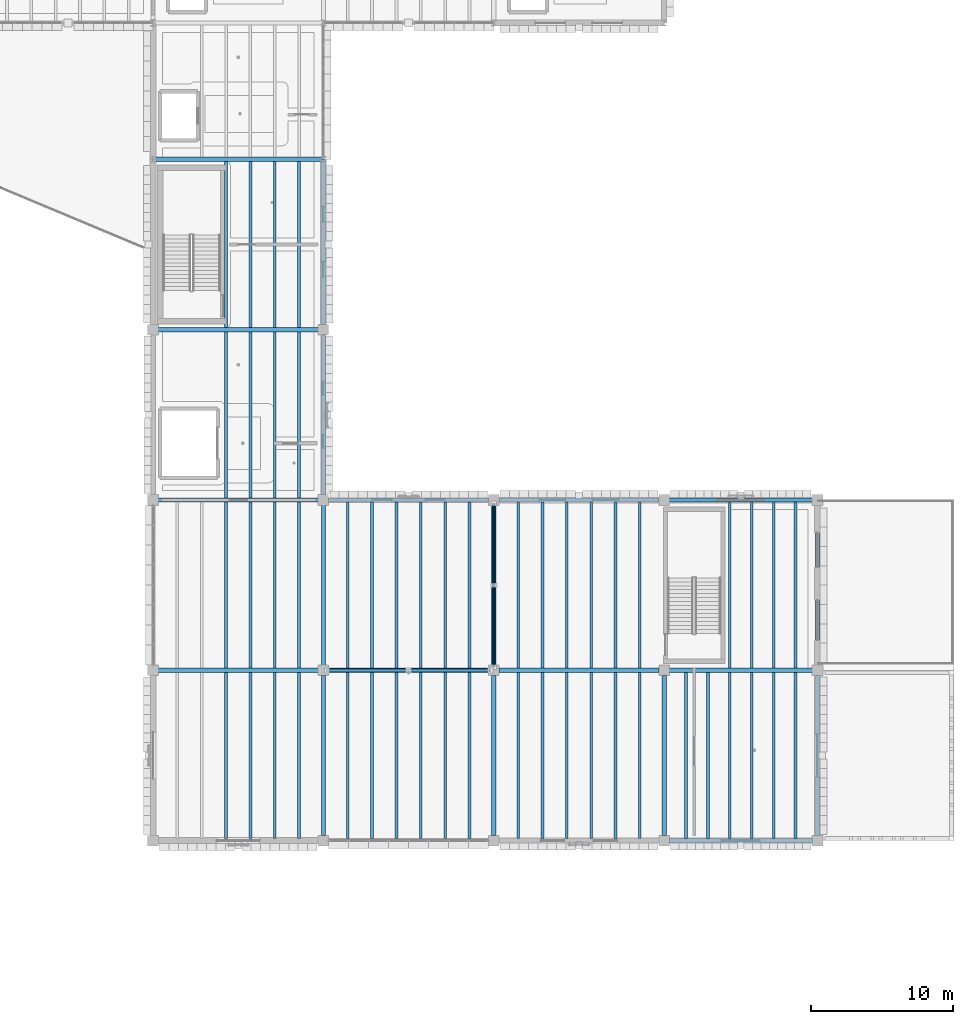
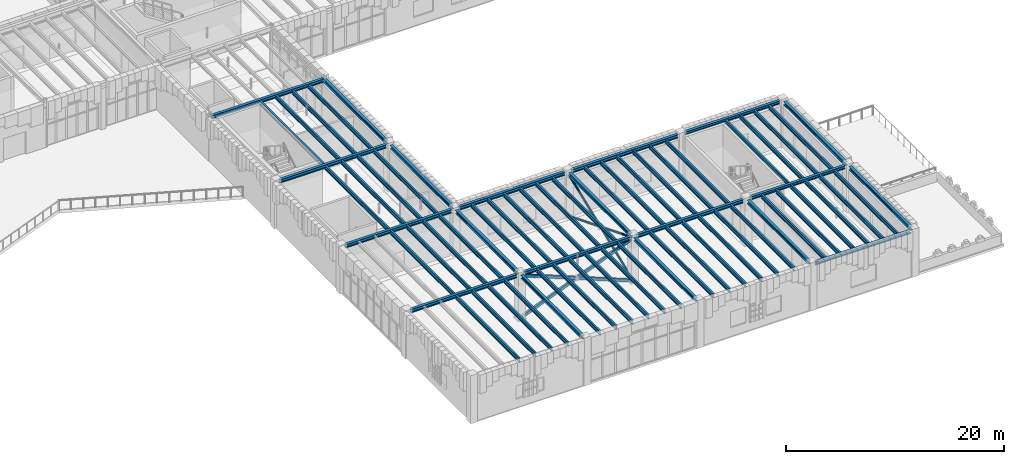
# One storey, part 34 of 103: 70 beams, 6 members.
"""IFC4 building model written with IfcOpenShell, lengths in metres."""

import ifcopenshell
import ifcopenshell.guid

model = None  # the IFC model being written
_history = None  # IfcOwnerHistory: only IFC2X3 demands one
_inside = {}  # id of a spatial element -> (the spatial element, [elements in it])
_under = {}  # id of a project, library or spatial element -> (it, [spatial elements below it])
_declared = {}  # id of a project -> (the project, [libraries it declares])
_typed = {}  # id of a type object -> (the type object, [elements of that type])
_made_of = {}  # id of a material, layer set ... -> (it, [elements and type objects made of it])


def new_model(schema):
    """Start an empty IFC model of exactly this schema.

    Asked for "IFC4X3", IfcOpenShell would pick the latest addendum, in which some entities
    have other attributes; the version numbers below select the first issue.
    IFC2X3 requires an IfcOwnerHistory on every rooted entity: one is made here for all.
    """
    global model, _history
    if schema == "IFC4X3":
        model = ifcopenshell.file(schema_version=(4, 3, 0, 0))
    else:
        model = ifcopenshell.file(schema=schema)
    _inside.clear()
    _under.clear()
    _declared.clear()
    _typed.clear()
    _made_of.clear()
    _history = None
    if model.schema == "IFC2X3":
        org = make("IfcOrganization", Name="unknown")
        user = make(
            "IfcPersonAndOrganization",
            ThePerson=make("IfcPerson", FamilyName="unknown"),
            TheOrganization=org,
        )
        app = make(
            "IfcApplication",
            ApplicationDeveloper=org,
            Version="unknown",
            ApplicationFullName="unknown",
            ApplicationIdentifier="unknown",
        )
        _history = make(
            "IfcOwnerHistory",
            OwningUser=user,
            OwningApplication=app,
            ChangeAction="ADDED",
            CreationDate=0,
        )
    return model


def make(cls, **values):
    """One entity of the class cls with the attributes given. An attribute that is None is left unset."""
    return model.create_entity(
        cls, **{name: value for name, value in values.items() if value is not None}
    )


def rooted(cls, **values):
    """An entity with a GlobalId (a new one), such as an element, a storey or a relation."""
    return make(cls, GlobalId=ifcopenshell.guid.new(), OwnerHistory=_history, **values)


def si_unit(unit_type, name, prefix=None):
    """IfcSIUnit, for example si_unit("LENGTHUNIT", "METRE", prefix="MILLI")."""
    return make("IfcSIUnit", UnitType=unit_type, Prefix=prefix, Name=name)


def assignment(units):
    """IfcUnitAssignment: the units of a project."""
    return None if units is None else make("IfcUnitAssignment", Units=units)


def point(xyz):
    """IfcCartesianPoint."""
    return None if xyz is None else make("IfcCartesianPoint", Coordinates=xyz)


def direction(xyz):
    """IfcDirection."""
    return None if xyz is None else make("IfcDirection", DirectionRatios=xyz)


def frame(location, z_axis=None, x_axis=None):
    """IfcAxis2Placement3D, a coordinate frame: its origin and axes. An axis left out is left unset."""
    return make(
        "IfcAxis2Placement3D",
        Location=point(location),
        Axis=direction(z_axis),
        RefDirection=direction(x_axis),
    )


def frame_2d(location, x_axis=None):
    """IfcAxis2Placement2D, a coordinate frame in the plane: its origin and x axis."""
    return make(
        "IfcAxis2Placement2D", Location=point(location), RefDirection=direction(x_axis)
    )


def origin():
    """The frame at (0, 0, 0) with its axes left unset."""
    return frame((0.0, 0.0, 0.0))


def origin_2d():
    """The frame at (0, 0) in the plane with its x axis left unset."""
    return frame_2d((0.0, 0.0))


def place(relative_to, where):
    """IfcLocalPlacement: puts the frame where relative to a parent placement (None: the world)."""
    return make(
        "IfcLocalPlacement", PlacementRelTo=relative_to, RelativePlacement=where
    )


def context(
    kind, dimensions, precision=None, world=None, true_north=None, identifier=None
):
    """IfcGeometricRepresentationContext, for example the 3D "Model" context."""
    return make(
        "IfcGeometricRepresentationContext",
        ContextIdentifier=identifier,
        ContextType=kind,
        CoordinateSpaceDimension=dimensions,
        Precision=precision,
        WorldCoordinateSystem=world,
        TrueNorth=true_north,
    )


def subcontext(parent, identifier, kind, view, scale=None):
    """IfcGeometricRepresentationSubContext, for example "Body" below "Model"."""
    return make(
        "IfcGeometricRepresentationSubContext",
        ContextIdentifier=identifier,
        ContextType=kind,
        ParentContext=parent,
        TargetScale=scale,
        TargetView=view,
    )


def project(units=None, contexts=None):
    """IfcProject with its units and contexts."""
    return rooted(
        "IfcProject",
        Name="project",
        RepresentationContexts=contexts,
        UnitsInContext=assignment(units),
    )


def spatial(cls, under=None, at=None, **own):
    """A site, building, storey or space (cls), placed at a placement, below another one or the project."""
    s = rooted(cls, ObjectPlacement=at, **own)
    if under is not None:
        _under.setdefault(under.id(), (under, []))[1].append(s)
    return s


def profile(cls, at=None, kind="AREA", **sizes):
    """A parametric profile (cls). Its sizes go by their IFC names, for example OverallWidth=200.0."""
    return make(cls, ProfileType=kind, Position=at, **sizes)


def hollow_rectangle(**sizes):
    """IfcRectangleHollowProfileDef."""
    return profile("IfcRectangleHollowProfileDef", **sizes)


def hollow_circle(**sizes):
    """IfcCircleHollowProfileDef."""
    return profile("IfcCircleHollowProfileDef", **sizes)


def i_section(**sizes):
    """IfcIShapeProfileDef."""
    return profile("IfcIShapeProfileDef", **sizes)


def extrude(swept, where, along, depth):
    """IfcExtrudedAreaSolid: the profile swept, set in the frame where, extruded along a direction by depth."""
    return make(
        "IfcExtrudedAreaSolid",
        SweptArea=swept,
        Position=where,
        ExtrudedDirection=direction(along),
        Depth=depth,
    )


def shape(context_of_items, identifier, shape_type, items):
    """IfcShapeRepresentation: the items that make up one representation, for example the "Body"."""
    return make(
        "IfcShapeRepresentation",
        ContextOfItems=context_of_items,
        RepresentationIdentifier=identifier,
        RepresentationType=shape_type,
        Items=items,
    )


def material(Name=None, Category=None):
    """IfcMaterial."""
    return make("IfcMaterial", Name=Name, Category=Category)


def material_profile(
    of_material, cross_section, Name=None, Category=None, Priority=None
):
    """IfcMaterialProfile: a cross section and its material."""
    return make(
        "IfcMaterialProfile",
        Name=Name,
        Material=of_material,
        Profile=cross_section,
        Priority=Priority,
        Category=Category,
    )


def profile_set(profiles, Name=None, composite=None):
    """IfcMaterialProfileSet."""
    return make(
        "IfcMaterialProfileSet",
        Name=Name,
        MaterialProfiles=profiles,
        CompositeProfile=composite,
    )


def made_of(thing, what):
    """Note that an element or type object is made of a material, layer set ...; save() writes the relation."""
    if what is not None:
        _made_of.setdefault(what.id(), (what, []))[1].append(thing)
    return thing


def type_object(cls, material=None, **own):
    """A type object (cls), such as IfcWallType, which elements share."""
    return made_of(rooted(cls, **own), material)


def element(
    cls,
    number,
    at=None,
    inside=None,
    cuts=None,
    type_object=None,
    material=None,
    context=None,
    identifier="Body",
    shape_type=None,
    held_by="IfcProductDefinitionShape",
    body=None,
    shapes=None,
    **own,
):
    """One element of the class cls, such as IfcWall. Its Tag is "e" and its number.

    at: its placement. inside: the storey or other place that contains it. cuts: it is an
    opening in that element (IfcRelVoidsElement). A single representation is given by context,
    identifier, shape_type and body (its items); several are given by shapes. held_by: the class
    of the entity that holds the representations. save() writes the other relations.
    """
    e = rooted(cls, Tag="e%d" % number, ObjectPlacement=at, **own)
    if body is not None:
        shapes = [shape(context, identifier, shape_type, body)]
    if shapes is not None:
        e.Representation = make(held_by, Representations=shapes)
    if inside is not None:
        _inside.setdefault(inside.id(), (inside, []))[1].append(e)
    if cuts is not None:
        rooted(
            "IfcRelVoidsElement", RelatingBuildingElement=cuts, RelatedOpeningElement=e
        )
    if type_object is not None:
        _typed.setdefault(type_object.id(), (type_object, []))[1].append(e)
    return made_of(e, material)


def aggregate(whole, parts):
    """IfcRelAggregates: a whole, such as a stair, and the parts it consists of."""
    return rooted("IfcRelAggregates", RelatingObject=whole, RelatedObjects=parts)


def save(model, path):
    """Write the relations noted so far, then the file.

    IfcRelAggregates (storeys below a building ...), IfcRelContainedInSpatialStructure (elements
    in a storey), IfcRelDefinesByType, IfcRelAssociatesMaterial and IfcRelDeclares: one each for
    every whole, place, type object, material and project.
    """
    for whole, parts in _under.values():
        aggregate(whole, parts)
    for where, things in _inside.values():
        rooted(
            "IfcRelContainedInSpatialStructure",
            RelatedElements=things,
            RelatingStructure=where,
        )
    for kind, things in _typed.values():
        rooted("IfcRelDefinesByType", RelatedObjects=things, RelatingType=kind)
    for what, things in _made_of.values():
        rooted("IfcRelAssociatesMaterial", RelatedObjects=things, RelatingMaterial=what)
    for by, libraries in _declared.values():
        rooted("IfcRelDeclares", RelatingContext=by, RelatedDefinitions=libraries)
    model.write(path)


model = new_model("IFC4")

# Units and contexts
model_context = context("Model", 3, precision=1e-05, world=origin(), true_north=direction((0.0, 1.0)))
body_context = subcontext(model_context, "Body", "Model", "MODEL_VIEW")
ifc_project = project(units=[si_unit("LENGTHUNIT", "METRE"), si_unit("AREAUNIT", "SQUARE_METRE"), si_unit("VOLUMEUNIT", "CUBIC_METRE"), si_unit("PLANEANGLEUNIT", "RADIAN"), si_unit("MASSUNIT", "GRAM", prefix="KILO")], contexts=[model_context])

# Site, building, storey
site_placement = place(None, origin())
site = spatial("IfcSite", under=ifc_project, at=site_placement, CompositionType="ELEMENT")
building_placement = place(site_placement, origin())
building = spatial("IfcBuilding", under=site, at=building_placement, Name="Zlatogorsky Bluff Art Gallery", CompositionType="ELEMENT")
storey_placement = place(building_placement, origin())
storey = spatial("IfcBuildingStorey", under=building, at=storey_placement, Name="L00", CompositionType="ELEMENT", Elevation=0.0)

# Beams
ifc_material = material(Name="Steel S355", Category="steel")
ifc_material_profile_1 = material_profile(ifc_material, i_section(OverallWidth=0.300048828125, OverallDepth=0.389892578125, WebThickness=0.010986328125, FlangeThickness=0.01904296875, FilletRadius=0.027099609375, at=origin_2d()), Name="HEA 400")
ifc_profile_set_1 = profile_set([ifc_material_profile_1], Name="Steel S355")
beam_type_1 = type_object("IfcBeamType", Name="Beam BM-09 HEA 400", PredefinedType="BEAM", material=ifc_profile_set_1)
for number, where, z_axis, x_axis, name in (
    (1, (120.35498046875, 38.39990234375, 4.945068359375), (1.0, 0.0, 0.0), (0.0, 1.0, 0.0), "Primary girder BM-09 L00 L-M/5"),
    (2, (120.35498046875, 50.39990234375, 4.945068359375), (1.0, 0.0, 0.0), (0.0, 1.0, 0.0), "Primary girder BM-09 L00 L-M/6"),
    (3, (120.35498046875, 62.39990234375, 4.945068359375), (1.0, 0.0, 0.0), (0.0, 1.0, 0.0), "Primary girder BM-09 L00 L-M/7"),
):
    element("IfcBeam", number, at=place(storey_placement, frame(where, z_axis=z_axis, x_axis=x_axis)), inside=storey, type_object=beam_type_1, Name=name, PredefinedType="BEAM", context=body_context, shape_type="SweptSolid", body=[
        extrude(i_section(OverallWidth=0.300048828125, OverallDepth=0.389892578125, WebThickness=0.010986328125, FlangeThickness=0.01904296875, FilletRadius=0.027099609375, at=origin_2d()), origin(), (0.0, 0.0, 1.0), 11.2900390625),
    ])
beam_1_placement = place(storey_placement, frame((120.014892578125, 74.39990234375, 4.945068359375), z_axis=(1.0, 0.0, 0.0), x_axis=(0.0, 1.0, 0.0)))
element("IfcBeam", 4, at=beam_1_placement, inside=storey, type_object=beam_type_1, Name="Primary girder BM-09 L00 L-M/8", PredefinedType="BEAM", context=body_context, shape_type="SweptSolid", body=[
    extrude(i_section(OverallWidth=0.300048828125, OverallDepth=0.389892578125, WebThickness=0.010986328125, FlangeThickness=0.01904296875, FilletRadius=0.027099609375, at=origin_2d()), origin(), (0.0, 0.0, 1.0), 11.97021484375),
])
for number, where, z_axis, x_axis, name in (
    (5, (132.35498046875, 38.39990234375, 4.945068359375), (1.0, 0.0, 0.0), (0.0, 1.0, 0.0), "Primary girder BM-09 L00 M-N/5"),
    (6, (132.35498046875, 50.39990234375, 4.945068359375), (1.0, 0.0, 0.0), (0.0, 1.0, 0.0), "Primary girder BM-09 L00 M-N/6"),
    (7, (144.35498046875, 38.39990234375, 4.945068359375), (1.0, 0.0, 0.0), (0.0, 1.0, 0.0), "Primary girder BM-09 L00 N-P/5"),
    (8, (144.35498046875, 50.39990234375, 4.945068359375), (1.0, 0.0, 0.0), (0.0, 1.0, 0.0), "Primary girder BM-09 L00 N-P/6"),
    (9, (132.0, 26.7548828125, 4.945068359375), (0.0, 1.0, 0.0), (-1.0, 0.0, 0.0), "Primary girder BM-09 L00 M/4-5"),
    (10, (132.0, 38.7548828125, 4.945068359375), (0.0, 1.0, 0.0), (-1.0, 0.0, 0.0), "Primary girder BM-09 L00 M/5-6"),
    (11, (132.0, 50.7548828125, 4.945068359375), (0.0, 1.0, 0.0), (-1.0, 0.0, 0.0), "Primary girder BM-09 L00 M/6-7"),
):
    element("IfcBeam", number, at=place(storey_placement, frame(where, z_axis=z_axis, x_axis=x_axis)), inside=storey, type_object=beam_type_1, Name=name, PredefinedType="BEAM", context=body_context, shape_type="SweptSolid", body=[
        extrude(i_section(OverallWidth=0.300048828125, OverallDepth=0.389892578125, WebThickness=0.010986328125, FlangeThickness=0.01904296875, FilletRadius=0.027099609375, at=origin_2d()), origin(), (0.0, 0.0, 1.0), 11.2900390625),
    ])
beam_2_placement = place(storey_placement, frame((132.0, 62.7548828125, 4.945068359375), z_axis=(0.0, 1.0, 0.0), x_axis=(-1.0, 0.0, 0.0)))
element("IfcBeam", 12, at=beam_2_placement, inside=storey, type_object=beam_type_1, Name="Primary girder BM-09 L00 M/7-8", PredefinedType="BEAM", context=body_context, shape_type="SweptSolid", body=[
    extrude(i_section(OverallWidth=0.300048828125, OverallDepth=0.389892578125, WebThickness=0.010986328125, FlangeThickness=0.01904296875, FilletRadius=0.027099609375, at=origin_2d()), origin(), (0.0, 0.0, 1.0), 11.630126953125),
])
for number, where, z_axis, x_axis, name in (
    (13, (144.0, 26.7548828125, 4.945068359375), (0.0, 1.0, 0.0), (-1.0, 0.0, 0.0), "Primary girder BM-09 L00 N/4-5"),
    (14, (144.0, 38.7548828125, 4.945068359375), (0.0, 1.0, 0.0), (-1.0, 0.0, 0.0), "Primary girder BM-09 L00 N/5-6"),
    (15, (156.0, 26.7548828125, 4.945068359375), (0.0, 1.0, 0.0), (-1.0, 0.0, 0.0), "Primary girder BM-09 L00 P/4-5"),
    (16, (166.800048828125, 26.7548828125, 4.945068359375), (0.0, 1.0, 0.0), (-1.0, 0.0, 0.0), "Primary girder BM-09 L00 Q/4-5"),
    (17, (166.800048828125, 38.7548828125, 4.945068359375), (0.0, 1.0, 0.0), (-1.0, 0.0, 0.0), "Primary girder BM-09 L00 Q/5-6"),
):
    element("IfcBeam", number, at=place(storey_placement, frame(where, z_axis=z_axis, x_axis=x_axis)), inside=storey, type_object=beam_type_1, Name=name, PredefinedType="BEAM", context=body_context, shape_type="SweptSolid", body=[
        extrude(i_section(OverallWidth=0.300048828125, OverallDepth=0.389892578125, WebThickness=0.010986328125, FlangeThickness=0.01904296875, FilletRadius=0.027099609375, at=origin_2d()), origin(), (0.0, 0.0, 1.0), 11.2900390625),
    ])
ifc_material_profile_2 = material_profile(ifc_material, i_section(OverallWidth=0.300048828125, OverallDepth=0.35009765625, WebThickness=0.010009765625, FlangeThickness=0.017578125, FilletRadius=0.027099609375, at=origin_2d()), Name="HEA 360")
ifc_profile_set_2 = profile_set([ifc_material_profile_2], Name="Steel S355")
beam_type_2 = type_object("IfcBeamType", Name="Beam BM-10 HEA 360", PredefinedType="BEAM", material=ifc_profile_set_2)
for number, where, z_axis, x_axis, name in (
    (18, (156.35498046875, 26.39990234375, 4.965087890625), (1.0, 0.0, 0.0), (0.0, 1.0, 0.0), "Primary girder BM-10 L00 P-Q/4"),
    (19, (156.35498046875, 38.39990234375, 4.965087890625), (1.0, 0.0, 0.0), (0.0, 1.0, 0.0), "Primary girder BM-10 L00 P-Q/5"),
    (20, (156.35498046875, 50.39990234375, 4.965087890625), (1.0, 0.0, 0.0), (0.0, 1.0, 0.0), "Primary girder BM-10 L00 P-Q/6"),
):
    element("IfcBeam", number, at=place(storey_placement, frame(where, z_axis=z_axis, x_axis=x_axis)), inside=storey, type_object=beam_type_2, Name=name, PredefinedType="BEAM", context=body_context, shape_type="SweptSolid", body=[
        extrude(i_section(OverallWidth=0.300048828125, OverallDepth=0.35009765625, WebThickness=0.010009765625, FlangeThickness=0.017578125, FilletRadius=0.027099609375, at=origin_2d()), origin(), (0.0, 0.0, 1.0), 10.090087890625),
    ])
ifc_material_profile_3 = material_profile(ifc_material, i_section(OverallWidth=0.18994140625, OverallDepth=0.449951171875, WebThickness=0.009521484375, FlangeThickness=0.0146484375, FilletRadius=0.02099609375, at=origin_2d()), Name="IPE 450")
ifc_profile_set_3 = profile_set([ifc_material_profile_3], Name="Steel S355")
beam_type_3 = type_object("IfcBeamType", Name="Beam JS-06 IPE 450", PredefinedType="JOIST", material=ifc_profile_set_3)
for number, where, z_axis, x_axis, name in (
    (21, (125.142822265625, 26.550048828125, 4.9150390625), (0.0, 1.0, 0.0), (-1.0, 0.0, 0.0), "Composite floor joist JS-06 L00 10.03.3"),
    (22, (126.857177734375, 26.550048828125, 4.9150390625), (0.0, 1.0, 0.0), (-1.0, 0.0, 0.0), "Composite floor joist JS-06 L00 10.03.4"),
    (23, (128.571533203125, 26.550048828125, 4.9150390625), (0.0, 1.0, 0.0), (-1.0, 0.0, 0.0), "Composite floor joist JS-06 L00 10.03.5"),
    (24, (130.28564453125, 26.550048828125, 4.9150390625), (0.0, 1.0, 0.0), (-1.0, 0.0, 0.0), "Composite floor joist JS-06 L00 10.03.6"),
    (25, (125.142822265625, 38.550048828125, 4.9150390625), (0.0, 1.0, 0.0), (-1.0, 0.0, 0.0), "Composite floor joist JS-06 L00 10.04.3"),
    (26, (126.857177734375, 38.550048828125, 4.9150390625), (0.0, 1.0, 0.0), (-1.0, 0.0, 0.0), "Composite floor joist JS-06 L00 10.04.4"),
    (27, (128.571533203125, 38.550048828125, 4.9150390625), (0.0, 1.0, 0.0), (-1.0, 0.0, 0.0), "Composite floor joist JS-06 L00 10.04.5"),
    (28, (130.28564453125, 38.550048828125, 4.9150390625), (0.0, 1.0, 0.0), (-1.0, 0.0, 0.0), "Composite floor joist JS-06 L00 10.04.6"),
    (29, (125.142822265625, 50.550048828125, 4.9150390625), (0.0, 1.0, 0.0), (-1.0, 0.0, 0.0), "Composite floor joist JS-06 L00 10.05.3"),
    (30, (126.857177734375, 50.550048828125, 4.9150390625), (0.0, 1.0, 0.0), (-1.0, 0.0, 0.0), "Composite floor joist JS-06 L00 10.05.4"),
    (31, (128.571533203125, 50.550048828125, 4.9150390625), (0.0, 1.0, 0.0), (-1.0, 0.0, 0.0), "Composite floor joist JS-06 L00 10.05.5"),
    (32, (130.28564453125, 50.550048828125, 4.9150390625), (0.0, 1.0, 0.0), (-1.0, 0.0, 0.0), "Composite floor joist JS-06 L00 10.05.6"),
    (33, (125.142822265625, 62.550048828125, 4.9150390625), (0.0, 1.0, 0.0), (-1.0, 0.0, 0.0), "Composite floor joist JS-06 L00 10.06.3"),
    (34, (126.857177734375, 62.550048828125, 4.9150390625), (0.0, 1.0, 0.0), (-1.0, 0.0, 0.0), "Composite floor joist JS-06 L00 10.06.4"),
    (35, (128.571533203125, 62.550048828125, 4.9150390625), (0.0, 1.0, 0.0), (-1.0, 0.0, 0.0), "Composite floor joist JS-06 L00 10.06.5"),
    (36, (130.28564453125, 62.550048828125, 4.9150390625), (0.0, 1.0, 0.0), (-1.0, 0.0, 0.0), "Composite floor joist JS-06 L00 10.06.6"),
    (37, (133.71435546875, 26.550048828125, 4.9150390625), (0.0, 1.0, 0.0), (-1.0, 0.0, 0.0), "Composite floor joist JS-06 L00 11.03.1"),
    (38, (135.428466796875, 26.550048828125, 4.9150390625), (0.0, 1.0, 0.0), (-1.0, 0.0, 0.0), "Composite floor joist JS-06 L00 11.03.2"),
    (39, (137.142822265625, 26.550048828125, 4.9150390625), (0.0, 1.0, 0.0), (-1.0, 0.0, 0.0), "Composite floor joist JS-06 L00 11.03.3"),
    (40, (138.857177734375, 26.550048828125, 4.9150390625), (0.0, 1.0, 0.0), (-1.0, 0.0, 0.0), "Composite floor joist JS-06 L00 11.03.4"),
    (41, (140.571533203125, 26.550048828125, 4.9150390625), (0.0, 1.0, 0.0), (-1.0, 0.0, 0.0), "Composite floor joist JS-06 L00 11.03.5"),
    (42, (142.28564453125, 26.550048828125, 4.9150390625), (0.0, 1.0, 0.0), (-1.0, 0.0, 0.0), "Composite floor joist JS-06 L00 11.03.6"),
    (43, (133.71435546875, 38.550048828125, 4.9150390625), (0.0, 1.0, 0.0), (-1.0, 0.0, 0.0), "Composite floor joist JS-06 L00 11.04.1"),
    (44, (135.428466796875, 38.550048828125, 4.9150390625), (0.0, 1.0, 0.0), (-1.0, 0.0, 0.0), "Composite floor joist JS-06 L00 11.04.2"),
    (45, (137.142822265625, 38.550048828125, 4.9150390625), (0.0, 1.0, 0.0), (-1.0, 0.0, 0.0), "Composite floor joist JS-06 L00 11.04.3"),
    (46, (138.857177734375, 38.550048828125, 4.9150390625), (0.0, 1.0, 0.0), (-1.0, 0.0, 0.0), "Composite floor joist JS-06 L00 11.04.4"),
    (47, (140.571533203125, 38.550048828125, 4.9150390625), (0.0, 1.0, 0.0), (-1.0, 0.0, 0.0), "Composite floor joist JS-06 L00 11.04.5"),
    (48, (142.28564453125, 38.550048828125, 4.9150390625), (0.0, 1.0, 0.0), (-1.0, 0.0, 0.0), "Composite floor joist JS-06 L00 11.04.6"),
    (49, (145.71435546875, 26.550048828125, 4.9150390625), (0.0, 1.0, 0.0), (-1.0, 0.0, 0.0), "Composite floor joist JS-06 L00 12.03.1"),
    (50, (147.428466796875, 26.550048828125, 4.9150390625), (0.0, 1.0, 0.0), (-1.0, 0.0, 0.0), "Composite floor joist JS-06 L00 12.03.2"),
    (51, (149.142822265625, 26.550048828125, 4.9150390625), (0.0, 1.0, 0.0), (-1.0, 0.0, 0.0), "Composite floor joist JS-06 L00 12.03.3"),
    (52, (150.857177734375, 26.550048828125, 4.9150390625), (0.0, 1.0, 0.0), (-1.0, 0.0, 0.0), "Composite floor joist JS-06 L00 12.03.4"),
    (53, (152.571533203125, 26.550048828125, 4.9150390625), (0.0, 1.0, 0.0), (-1.0, 0.0, 0.0), "Composite floor joist JS-06 L00 12.03.5"),
    (54, (154.28564453125, 26.550048828125, 4.9150390625), (0.0, 1.0, 0.0), (-1.0, 0.0, 0.0), "Composite floor joist JS-06 L00 12.03.6"),
    (55, (145.71435546875, 38.550048828125, 4.9150390625), (0.0, 1.0, 0.0), (-1.0, 0.0, 0.0), "Composite floor joist JS-06 L00 12.04.1"),
    (56, (147.428466796875, 38.550048828125, 4.9150390625), (0.0, 1.0, 0.0), (-1.0, 0.0, 0.0), "Composite floor joist JS-06 L00 12.04.2"),
    (57, (149.142822265625, 38.550048828125, 4.9150390625), (0.0, 1.0, 0.0), (-1.0, 0.0, 0.0), "Composite floor joist JS-06 L00 12.04.3"),
    (58, (150.857177734375, 38.550048828125, 4.9150390625), (0.0, 1.0, 0.0), (-1.0, 0.0, 0.0), "Composite floor joist JS-06 L00 12.04.4"),
    (59, (152.571533203125, 38.550048828125, 4.9150390625), (0.0, 1.0, 0.0), (-1.0, 0.0, 0.0), "Composite floor joist JS-06 L00 12.04.5"),
    (60, (154.28564453125, 38.550048828125, 4.9150390625), (0.0, 1.0, 0.0), (-1.0, 0.0, 0.0), "Composite floor joist JS-06 L00 12.04.6"),
    (61, (157.54296875, 26.550048828125, 4.9150390625), (0.0, 1.0, 0.0), (-1.0, 0.0, 0.0), "Composite floor joist JS-06 L00 13.03.1"),
    (62, (159.085693359375, 26.550048828125, 4.9150390625), (0.0, 1.0, 0.0), (-1.0, 0.0, 0.0), "Composite floor joist JS-06 L00 13.03.2"),
    (63, (160.628662109375, 26.550048828125, 4.9150390625), (0.0, 1.0, 0.0), (-1.0, 0.0, 0.0), "Composite floor joist JS-06 L00 13.03.3"),
    (64, (162.17138671875, 26.550048828125, 4.9150390625), (0.0, 1.0, 0.0), (-1.0, 0.0, 0.0), "Composite floor joist JS-06 L00 13.03.4"),
    (65, (163.71435546875, 26.550048828125, 4.9150390625), (0.0, 1.0, 0.0), (-1.0, 0.0, 0.0), "Composite floor joist JS-06 L00 13.03.5"),
    (66, (165.257080078125, 26.550048828125, 4.9150390625), (0.0, 1.0, 0.0), (-1.0, 0.0, 0.0), "Composite floor joist JS-06 L00 13.03.6"),
    (67, (160.628662109375, 38.550048828125, 4.9150390625), (0.0, 1.0, 0.0), (-1.0, 0.0, 0.0), "Composite floor joist JS-06 L00 13.04.3"),
    (68, (162.17138671875, 38.550048828125, 4.9150390625), (0.0, 1.0, 0.0), (-1.0, 0.0, 0.0), "Composite floor joist JS-06 L00 13.04.4"),
    (69, (163.71435546875, 38.550048828125, 4.9150390625), (0.0, 1.0, 0.0), (-1.0, 0.0, 0.0), "Composite floor joist JS-06 L00 13.04.5"),
    (70, (165.257080078125, 38.550048828125, 4.9150390625), (0.0, 1.0, 0.0), (-1.0, 0.0, 0.0), "Composite floor joist JS-06 L00 13.04.6"),
):
    element("IfcBeam", number, at=place(storey_placement, frame(where, z_axis=z_axis, x_axis=x_axis)), inside=storey, type_object=beam_type_3, Name=name, PredefinedType="JOIST", context=body_context, shape_type="SweptSolid", body=[
        extrude(i_section(OverallWidth=0.18994140625, OverallDepth=0.449951171875, WebThickness=0.009521484375, FlangeThickness=0.0146484375, FilletRadius=0.02099609375, at=origin_2d()), origin(), (0.0, 0.0, 1.0), 11.699951171875),
    ])

# Members
ifc_material_profile_4 = material_profile(ifc_material, hollow_circle(Radius=0.109619140625, WallThickness=0.012451171875, at=origin_2d()), Name="CHS 219.1x12.5")
ifc_profile_set_4 = profile_set([ifc_material_profile_4], Name="Steel S355")
member_type_1 = type_object("IfcMemberType", Name="Member BR-01 CHS 219.1x12.5", PredefinedType="BRACE", material=ifc_profile_set_4)
member_1_placement = place(storey_placement, frame((144.0, 38.64990234375, 0.14990234375), z_axis=(0.0, 0.928473972081, 0.371397473292), x_axis=(-1.0, 0.0, 0.0)))
element("IfcMember", 71, at=member_1_placement, inside=storey, type_object=member_type_1, Name="Continuous X-brace diagonal L00.4A", PredefinedType="BRACE", context=body_context, shape_type="SweptSolid", body=[
    extrude(hollow_circle(Radius=0.109619140625, WallThickness=0.012451171875, at=origin_2d()), origin(), (0.0, 0.0, 1.0), 12.385986328125),
])
member_2_placement = place(storey_placement, frame((144.0, 38.64990234375, 4.75), z_axis=(0.0, 0.928476690885, -0.371390676354), x_axis=(-1.0, 0.0, 0.0)))
element("IfcMember", 72, at=member_2_placement, inside=storey, type_object=member_type_1, Name="Split X-brace diagonal lower L00.4B1", PredefinedType="BRACE", context=body_context, shape_type="SweptSolid", body=[
    extrude(hollow_circle(Radius=0.109619140625, WallThickness=0.012451171875, at=origin_2d()), origin(), (0.0, 0.0, 1.0), 6.052978515625),
])
member_3_placement = place(storey_placement, frame((144.0, 44.530029296875, 2.39794921875), z_axis=(0.0, 0.928471127334, -0.37140458493), x_axis=(-1.0, 0.0, 0.0)))
element("IfcMember", 73, at=member_3_placement, inside=storey, type_object=member_type_1, Name="Split X-brace diagonal upper L00.4B2", PredefinedType="BRACE", context=body_context, shape_type="SweptSolid", body=[
    extrude(hollow_circle(Radius=0.109619140625, WallThickness=0.012451171875, at=origin_2d()), origin(), (0.0, 0.0, 1.0), 6.052734375),
])
ifc_material_profile_5 = material_profile(ifc_material, hollow_rectangle(XDim=0.199951171875, YDim=0.300048828125, WallThickness=0.012451171875, at=origin_2d()), Name="RHS 300x200x12.5")
ifc_profile_set_5 = profile_set([ifc_material_profile_5], Name="Steel S355")
member_type_2 = type_object("IfcMemberType", Name="Member BR-02 RHS 300x200x12.5", PredefinedType="BRACE", material=ifc_profile_set_5)
member_4_placement = place(storey_placement, frame((132.25, 38.39990234375, 0.14990234375), z_axis=(0.928473972081, 0.0, 0.371397473292), x_axis=(0.0, 1.0, 0.0)))
element("IfcMember", 74, at=member_4_placement, inside=storey, type_object=member_type_2, Name="Continuous X-brace diagonal L00.2A", PredefinedType="BRACE", context=body_context, shape_type="SweptSolid", body=[
    extrude(hollow_rectangle(XDim=0.199951171875, YDim=0.300048828125, WallThickness=0.012451171875, at=origin_2d()), origin(), (0.0, 0.0, 1.0), 12.385986328125),
])
for number, where, z_axis, x_axis, name in (
    (75, (132.25, 38.39990234375, 4.75), (0.928476690885, 0.0, -0.371390676354), (0.0, 1.0, 0.0), "Split X-brace diagonal lower L00.2B1"),
    (76, (138.1298828125, 38.39990234375, 2.39794921875), (0.928476690885, 0.0, -0.371390676354), (0.0, 1.0, 0.0), "Split X-brace diagonal upper L00.2B2"),
):
    element("IfcMember", number, at=place(storey_placement, frame(where, z_axis=z_axis, x_axis=x_axis)), inside=storey, type_object=member_type_2, Name=name, PredefinedType="BRACE", context=body_context, shape_type="SweptSolid", body=[
        extrude(hollow_rectangle(XDim=0.199951171875, YDim=0.300048828125, WallThickness=0.012451171875, at=origin_2d()), origin(), (0.0, 0.0, 1.0), 6.052978515625),
    ])

save(model, "model.ifc")
